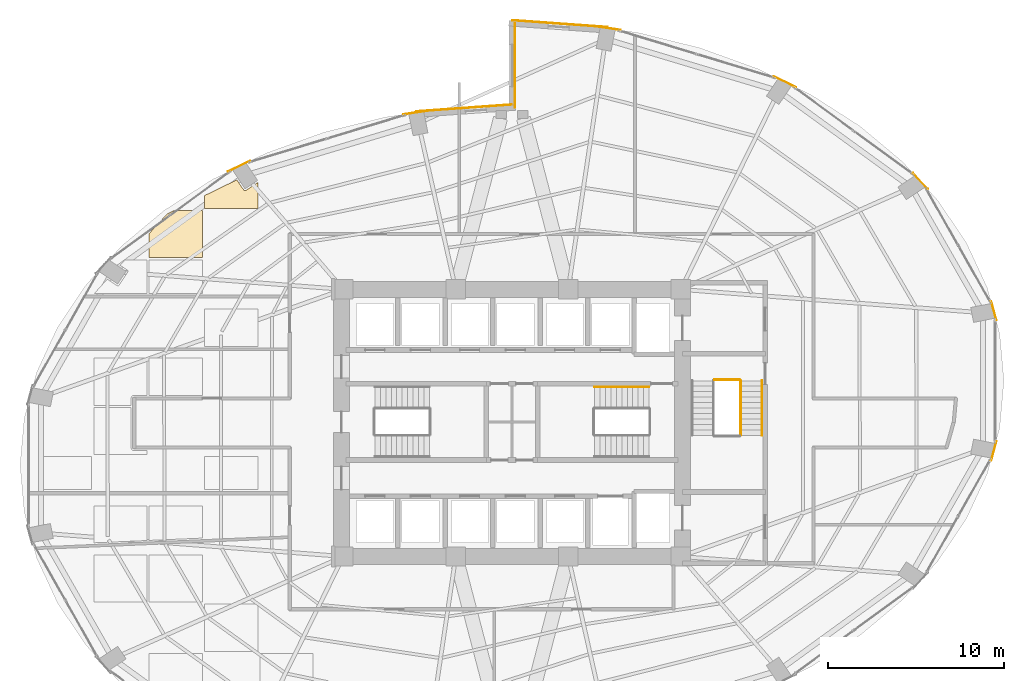
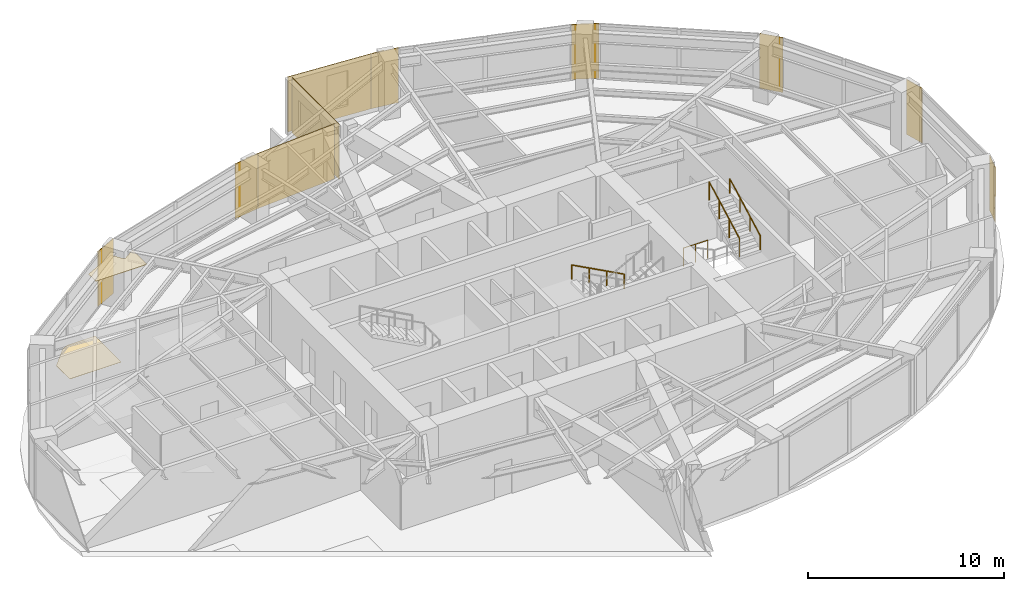
# One storey, part 24 of 24: 12 coverings, 4 railings.
"""IFC4 building model written with IfcOpenShell, lengths in metres."""

from ifc_helpers import new_model, si_unit, direction, frame, origin, origin_2d, place, context, subcontext, project, spatial, polyline, rectangle, circle, outline, extrude, material, layer, layer_set, type_object, element, save


model = new_model("IFC4")

# Units and contexts
model_context = context("Model", 3, precision=1e-05, world=origin(), true_north=direction((0.0, 1.0)))
body_context = subcontext(model_context, "Body", "Model", "MODEL_VIEW")
ifc_project = project(units=[si_unit("LENGTHUNIT", "METRE"), si_unit("AREAUNIT", "SQUARE_METRE"), si_unit("VOLUMEUNIT", "CUBIC_METRE"), si_unit("PLANEANGLEUNIT", "RADIAN"), si_unit("MASSUNIT", "GRAM", prefix="KILO")], contexts=[model_context])

# Site, building, storey
site_placement = place(None, origin())
site = spatial("IfcSite", under=ifc_project, at=site_placement, CompositionType="ELEMENT")
building_placement = place(site_placement, origin())
building = spatial("IfcBuilding", under=site, at=building_placement, Name="Lazwardi Medical Tower", CompositionType="ELEMENT")
storey_placement = place(building_placement, frame((0.0, 0.0, 39.7919921875)))
storey = spatial("IfcBuildingStorey", under=building, at=storey_placement, Name="L09", CompositionType="ELEMENT", Elevation=39.7919921875)

# Coverings
ifc_material_1 = material(Name="Anodised bronze aluminium cassette cladding", Category="aluminium")
ifc_layer_1 = layer(ifc_material_1, 0.030029296875)
ifc_layer_set_1 = layer_set([ifc_layer_1], Name="Anodised bronze aluminium cassette cladding")
covering_type_1 = type_object("IfcCoveringType", Name="COV-CLD-BRZ", PredefinedType="CLADDING", material=ifc_layer_set_1)
for number, where, z_axis, x_axis, name in (
    (1, (63.420654296875, 26.408203125, 0.0), (0.0, 0.0, 1.0), (0.262283496593, 0.964990863902, 0.0), "L09 Mega-column bronze cassette cover M04"),
    (2, (63.420654296875, 34.3916015625, 0.0), (0.0, 0.0, 1.0), (-0.262283496593, 0.964990863902, 0.0), "L09 Mega-column bronze cassette cover M05"),
):
    element("IfcCovering", number, at=place(storey_placement, frame(where, z_axis=z_axis, x_axis=x_axis)), inside=storey, type_object=covering_type_1, Name=name, PredefinedType="CLADDING", context=body_context, shape_type="SweptSolid", body=[
        extrude(rectangle(XDim=1.12548828125, YDim=0.030029296875, at=origin_2d()), origin(), (0.0, 0.0, 1.0), 3.427978515625),
    ])
covering_1_placement = place(storey_placement, frame((59.24609375, 41.767333984375, 0.0), z_axis=(0.0, 0.0, 1.0), x_axis=(-0.674252120961, 0.738501237223, 0.0)))
element("IfcCovering", 3, at=covering_1_placement, inside=storey, type_object=covering_type_1, Name="L09 Mega-column bronze cassette cover M06", PredefinedType="CLADDING", context=body_context, shape_type="SweptSolid", body=[
    extrude(rectangle(XDim=1.24658203125, YDim=0.030029296875, at=origin_2d()), origin(), (0.0, 0.0, 1.0), 3.427978515625),
])
covering_2_placement = place(storey_placement, frame((51.532470703125, 47.412353515625, 0.0), z_axis=(0.0, 0.0, 1.0), x_axis=(-0.898334492373, 0.439312121178, 0.0)))
element("IfcCovering", 4, at=covering_2_placement, inside=storey, type_object=covering_type_1, Name="L09 Mega-column bronze cassette cover M07", PredefinedType="CLADDING", context=body_context, shape_type="SweptSolid", body=[
    extrude(rectangle(XDim=1.400390625, YDim=0.030029296875, at=origin_2d()), origin(), (0.0, 0.0, 1.0), 3.427978515625),
])
for number, where, z_axis, x_axis, name in (
    (5, (41.454345703125, 50.46728515625, 0.0), (0.0, 0.0, 1.0), (-0.98957259946, 0.144034962415, 0.0), "L09 Mega-column bronze cassette cover M08"),
    (6, (30.545654296875, 45.66748046875, 0.0), (0.0, 0.0, 1.0), (-0.98957259946, -0.144034962415, 0.0), "L09 Mega-column bronze cassette cover M09"),
):
    element("IfcCovering", number, at=place(storey_placement, frame(where, z_axis=z_axis, x_axis=x_axis)), inside=storey, type_object=covering_type_1, Name=name, PredefinedType="CLADDING", context=body_context, shape_type="SweptSolid", body=[
        extrude(rectangle(XDim=1.49951171875, YDim=0.030029296875, at=origin_2d()), origin(), (0.0, 0.0, 1.0), 3.427978515625),
    ])
covering_3_placement = place(storey_placement, frame((20.467529296875, 42.6123046875, 0.0), z_axis=(0.0, 0.0, 1.0), x_axis=(-0.898334492373, -0.439312121178, 0.0)))
element("IfcCovering", 7, at=covering_3_placement, inside=storey, type_object=covering_type_1, Name="L09 Mega-column bronze cassette cover M10", PredefinedType="CLADDING", context=body_context, shape_type="SweptSolid", body=[
    extrude(rectangle(XDim=1.400390625, YDim=0.030029296875, at=origin_2d()), origin(), (0.0, 0.0, 1.0), 3.427978515625),
])
ifc_material_2 = material(Name="Turquoise glazed ceramic tilework cladding", Category="masonry")
ifc_layer_2 = layer(ifc_material_2, 0.034912109375)
ifc_layer_set_2 = layer_set([ifc_layer_2], Name="Turquoise glazed ceramic tilework cladding")
covering_type_2 = type_object("IfcCoveringType", Name="COV-CLD-TRQ", PredefinedType="CLADDING", material=ifc_layer_set_2)
covering_4_placement = place(storey_placement, frame((38.728271484375, 50.719482421875, 0.0), z_axis=(0.0, 0.0, 1.0), x_axis=(-0.997421404513, 0.071767275412, 0.0)))
element("IfcCovering", 8, at=covering_4_placement, inside=storey, type_object=covering_type_2, Name="L09 Turquoise glazed ceramic tilework cladding", PredefinedType="CLADDING", context=body_context, shape_type="SweptSolid", body=[
    extrude(rectangle(XDim=5.4453125, YDim=0.034912109375, at=origin_2d()), origin(), (0.0, 0.0, 1.0), 3.427978515625),
])
covering_5_placement = place(storey_placement, frame((33.271484375, 45.919677734375, 0.0), z_axis=(0.0, 0.0, 1.0), x_axis=(-0.997420903458, -0.071774238726, 0.0)))
element("IfcCovering", 9, at=covering_5_placement, inside=storey, type_object=covering_type_2, Name="L09 Turquoise glazed ceramic tilework cladding", PredefinedType="CLADDING", context=body_context, shape_type="SweptSolid", body=[
    extrude(rectangle(XDim=5.44482421875, YDim=0.034912109375, at=origin_2d()), origin(), (0.0, 0.0, 1.0), 3.427978515625),
])
covering_6_placement = place(storey_placement, frame((36.175537109375, 48.340087890625, 0.0), z_axis=(0.0, 0.0, 1.0), x_axis=(0.0, -1.0, 0.0)))
element("IfcCovering", 10, at=covering_6_placement, inside=storey, type_object=covering_type_2, Name="L09 Turquoise glazed ceramic tilework iwan panel", PredefinedType="CLADDING", context=body_context, shape_type="SweptSolid", body=[
    extrude(rectangle(XDim=4.800048828125, YDim=0.034912109375, at=origin_2d()), origin(), (0.0, 0.0, 1.0), 3.427978515625),
])
ifc_material_3 = material(Name="Acoustic mineral fibre tile")
ifc_layer_3 = layer(ifc_material_3, 0.02490234375)
ifc_layer_set_3 = layer_set([ifc_layer_3], Name="Acoustic mineral fibre tile")
covering_type_3 = type_object("IfcCoveringType", Name="COV-CLG-01", PredefinedType="CEILING", material=ifc_layer_set_3)
covering_7_placement = place(storey_placement, frame((0.0, 0.0, 3.282958984375)))
element("IfcCovering", 11, at=covering_7_placement, inside=storey, type_object=covering_type_3, Name="L09 Clinical Acoustic Ceiling 9", PredefinedType="CEILING", context=body_context, shape_type="SweptSolid", body=[
    extrude(outline(polyline([(21.532958984375, 41.68896484375), (20.84765625, 41.231201171875), (20.8408203125, 41.22705078125), (20.833740234375, 41.2236328125), (20.826416015625, 41.220947265625), (20.81884765625, 41.218994140625), (20.81103515625, 41.218017578125), (20.80322265625, 41.217529296875), (20.79541015625, 41.218017578125), (20.78759765625, 41.218994140625), (20.780029296875, 41.220947265625), (20.772705078125, 41.2236328125), (20.765380859375, 41.22705078125), (20.7587890625, 41.231201171875), (20.75244140625, 41.23583984375), (20.74658203125, 41.240966796875), (20.741455078125, 41.246826171875), (20.73681640625, 41.253173828125), (20.3447265625, 41.839599609375), (18.5029296875, 40.940673828125), (18.5029296875, 40.202392578125), (21.532958984375, 40.202392578125), (21.532958984375, 41.68896484375)])), origin(), (0.0, 0.0, 1.0), 0.025146484375),
])
ifc_material_4 = material(Name="Anti-static hospital vinyl sheet flooring")
ifc_layer_4 = layer(ifc_material_4, 0.014892578125)
ifc_layer_set_4 = layer_set([ifc_layer_4], Name="Anti-static hospital vinyl sheet flooring")
covering_type_4 = type_object("IfcCoveringType", Name="COV-FLR-01", PredefinedType="FLOORING", material=ifc_layer_set_4)
covering_8_placement = place(storey_placement, origin())
element("IfcCovering", 12, at=covering_8_placement, inside=storey, type_object=covering_type_4, Name="L09 Clinical Vinyl Flooring 8", PredefinedType="FLOORING", context=body_context, shape_type="SweptSolid", body=[
    extrude(outline(polyline([(16.744384765625, 40.08251953125), (16.377197265625, 39.9033203125), (15.352783203125, 38.78369140625), (15.352783203125, 37.402587890625), (18.3828125, 37.402587890625), (18.3828125, 40.08251953125), (16.744384765625, 40.08251953125)])), origin(), (0.0, 0.0, 1.0), 0.014892578125),
])

# Railings
ifc_material_5 = material(Name="Stainless steel Grade 316", Category="steel")
railing_type_1 = type_object("IfcRailingType", Name="RLG-GRD-1150", PredefinedType="GUARDRAIL", material=ifc_material_5)
railing_1_placement = place(storey_placement, frame((49.010009765625, 27.300048828125, 1.98974609375)))
element("IfcRailing", 13, at=railing_1_placement, inside=storey, type_object=railing_type_1, Name="L09 ST3 stair guard 3", PredefinedType="GUARDRAIL", context=body_context, shape_type="SweptSolid", body=[
    extrude(circle(Radius=0.02392578125, at=origin_2d()), frame((0.0, 0.0, 1.1259765625), z_axis=(0.0, 0.881767849116, 0.471683644262), x_axis=(-1.0, 0.0, 0.0)), (0.0, 0.0, 1.0), 3.515380859375),
    extrude(circle(Radius=0.02099609375, at=origin_2d()), origin(), (0.0, 0.0, 1.0), 1.099853515625),
    extrude(circle(Radius=0.02099609375, at=origin_2d()), frame((0.0, 1.033203125, 0.552734375)), (0.0, 0.0, 1.0), 1.099853515625),
    extrude(circle(Radius=0.02099609375, at=origin_2d()), frame((0.0, 2.066650390625, 1.10546875)), (0.0, 0.0, 1.0), 1.099853515625),
    extrude(circle(Radius=0.02099609375, at=origin_2d()), frame((0.0, 3.099853515625, 1.658203125)), (0.0, 0.0, 1.0), 1.099853515625),
])
railing_2_placement = place(storey_placement, frame((47.52001953125, 30.449951171875, 0.0)))
element("IfcRailing", 14, at=railing_2_placement, inside=storey, type_object=railing_type_1, Name="L09 ST3 stair guard 4", PredefinedType="GUARDRAIL", context=body_context, shape_type="SweptSolid", body=[
    extrude(circle(Radius=0.02392578125, at=origin_2d()), frame((0.0, 0.0, 1.1259765625), z_axis=(1.0, 0.0, 0.0), x_axis=(0.0, 1.0, 0.0)), (0.0, 0.0, 1.0), 1.43994140625),
    extrude(circle(Radius=0.02099609375, at=origin_2d()), origin(), (0.0, 0.0, 1.0), 1.099853515625),
    extrude(circle(Radius=0.02099609375, at=origin_2d()), frame((0.719970703125, 0.0, 0.0)), (0.0, 0.0, 1.0), 1.099853515625),
    extrude(circle(Radius=0.02099609375, at=origin_2d()), frame((1.43994140625, 0.0, 0.0)), (0.0, 0.0, 1.0), 1.099853515625),
])
railing_type_2 = type_object("IfcRailingType", Name="RLG-HND-920", PredefinedType="HANDRAIL", material=ifc_material_5)
railing_3_placement = place(storey_placement, frame((43.800048828125, 30.050048828125, 0.165771484375)))
element("IfcRailing", 15, at=railing_3_placement, inside=storey, type_object=railing_type_2, Name="L09 ST2 stair handrail 1", PredefinedType="HANDRAIL", context=body_context, shape_type="SweptSolid", body=[
    extrude(circle(Radius=0.02392578125, at=origin_2d()), frame((0.0, 0.0, 0.8857421875), z_axis=(-0.881783298633, 0.0, 0.471654761719), x_axis=(0.0, -1.0, 0.0)), (0.0, 0.0, 1.0), 3.515625),
    extrude(circle(Radius=0.02099609375, at=origin_2d()), origin(), (0.0, 0.0, 1.0), 0.85986328125),
    extrude(circle(Radius=0.02099609375, at=origin_2d()), frame((-1.033447265625, 0.0, 0.552734375)), (0.0, 0.0, 1.0), 0.85986328125),
    extrude(circle(Radius=0.02099609375, at=origin_2d()), frame((-2.066650390625, 0.0, 1.10546875)), (0.0, 0.0, 1.0), 0.85986328125),
    extrude(circle(Radius=0.02099609375, at=origin_2d()), frame((-3.10009765625, 0.0, 1.658203125)), (0.0, 0.0, 1.0), 0.85986328125),
])
railing_4_placement = place(storey_placement, frame((50.22998046875, 27.300048828125, 1.98974609375)))
element("IfcRailing", 16, at=railing_4_placement, inside=storey, type_object=railing_type_2, Name="L09 ST3 stair handrail 2", PredefinedType="HANDRAIL", context=body_context, shape_type="SweptSolid", body=[
    extrude(circle(Radius=0.02392578125, at=origin_2d()), frame((0.0, 0.0, 0.8857421875), z_axis=(0.0, 0.881767849116, 0.471683644262), x_axis=(-1.0, 0.0, 0.0)), (0.0, 0.0, 1.0), 3.515380859375),
    extrude(circle(Radius=0.02099609375, at=origin_2d()), origin(), (0.0, 0.0, 1.0), 0.85986328125),
    extrude(circle(Radius=0.02099609375, at=origin_2d()), frame((0.0, 1.033203125, 0.552734375)), (0.0, 0.0, 1.0), 0.85986328125),
    extrude(circle(Radius=0.02099609375, at=origin_2d()), frame((0.0, 2.066650390625, 1.10546875)), (0.0, 0.0, 1.0), 0.85986328125),
    extrude(circle(Radius=0.02099609375, at=origin_2d()), frame((0.0, 3.099853515625, 1.658203125)), (0.0, 0.0, 1.0), 0.85986328125),
])

save(model, "model.ifc")
